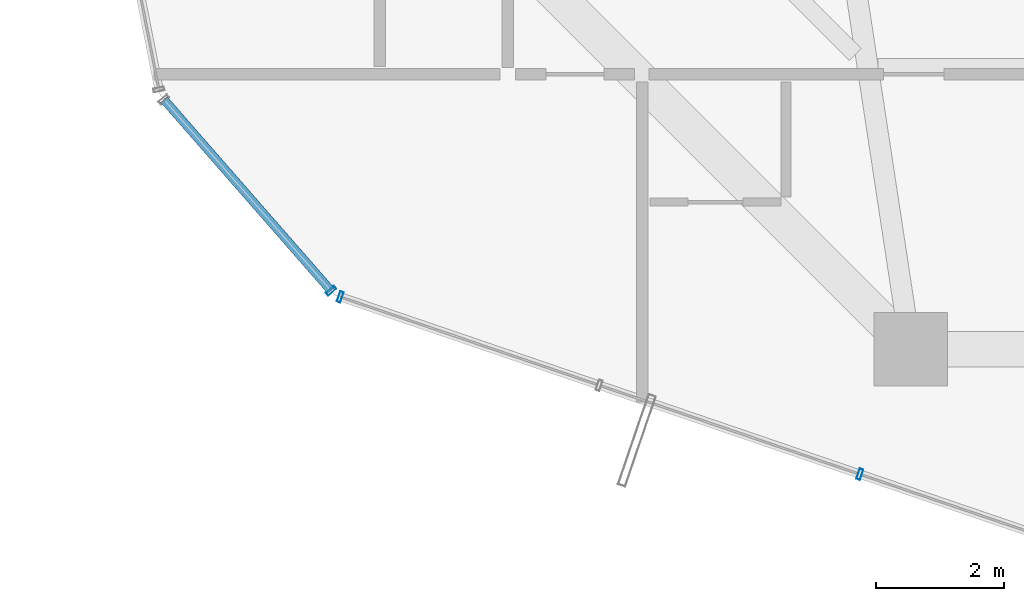
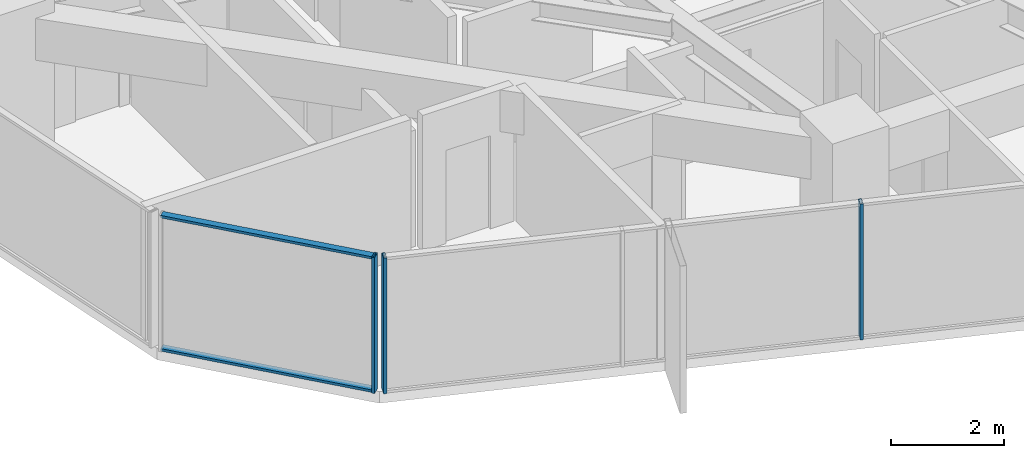
# One storey, part 2 of 36: 5 members, 2 elements without a shape of their own.
"""IFC4 building model written with IfcOpenShell, lengths in metres."""

from ifc_helpers import new_model, si_unit, direction, frame, origin, origin_2d, place, context, subcontext, project, spatial, hollow_rectangle, extrude, source, transform, mapped, material, layer, layer_set, material_profile, profile_set, type_object, element, aggregate, save


model = new_model("IFC4")

# Units and contexts
model_context = context("Model", 3, precision=1e-05, world=origin(), true_north=direction((0.0, 1.0)))
body_context = subcontext(model_context, "Body", "Model", "MODEL_VIEW")
ifc_project = project(units=[si_unit("LENGTHUNIT", "METRE"), si_unit("AREAUNIT", "SQUARE_METRE"), si_unit("VOLUMEUNIT", "CUBIC_METRE"), si_unit("PLANEANGLEUNIT", "RADIAN"), si_unit("MASSUNIT", "GRAM", prefix="KILO")], contexts=[model_context])

# Site, building, storey
site_placement = place(None, origin())
site = spatial("IfcSite", under=ifc_project, at=site_placement, CompositionType="ELEMENT")
building_placement = place(site_placement, origin())
building = spatial("IfcBuilding", under=site, at=building_placement, Name="Veraguas Prism Commons", CompositionType="ELEMENT")
storey_placement = place(building_placement, frame((0.0, 0.0, 166.300048828125)))
storey = spatial("IfcBuildingStorey", under=building, at=storey_placement, Name="L47", CompositionType="ELEMENT", Elevation=166.300048828125)

# Curtain wall, members
ifc_material = material(Name="Anodised aluminium EN AW-6063 T6", Category="aluminium")
ifc_layer = layer(ifc_material, 0.169921875, Name="Unitised Flush Curtain Wall Zone 2", Category="aluminium")
ifc_layer_set = layer_set([ifc_layer], Name="Anodised aluminium EN AW-6063 T6")
curtain_wall_type = type_object("IfcCurtainWallType", Name="Unitised Flush Curtain Wall Zone 2", PredefinedType="NOTDEFINED", material=ifc_layer_set)
curtain_wall_1_placement = place(storey_placement, origin())
curtain_wall_1 = element("IfcCurtainWall", 1, at=curtain_wall_1_placement, inside=storey, type_object=curtain_wall_type, Name="Tower Facade Curtain Wall L47-F4", PredefinedType="NOTDEFINED")
ifc_material_profile_1 = material_profile(ifc_material, hollow_rectangle(XDim=0.06005859375, YDim=0.169921875, WallThickness=0.00390625, at=origin_2d()), Name="AL60X170X4")
ifc_profile_set_1 = profile_set([ifc_material_profile_1], Name="Anodised aluminium EN AW-6063 T6")
member_type_1 = type_object("IfcMemberType", Name="Curtain Wall Mullion Lower AL 60x170x4", PredefinedType="MULLION", material=ifc_profile_set_1)
shared_shape_1 = source(origin(), body_context, "Body", "SweptSolid", [
    extrude(hollow_rectangle(XDim=0.06005859375, YDim=0.169921875, WallThickness=0.00390625, at=origin_2d()), origin(), (0.0, 0.0, 1.0), 2.929931640625),
])
member_1_placement = place(storey_placement, frame((9.678466796875, 8.618408203125, 0.0), z_axis=(0.0, 0.0, 1.0), x_axis=(0.946424609155, -0.322924850679, 0.0)))
member_1 = element("IfcMember", 2, at=member_1_placement, type_object=member_type_1, Name="CW-Z2 Mullion 1", PredefinedType="MULLION", context=body_context, shape_type="MappedRepresentation", body=[
    mapped(shared_shape_1, transform((0.0, 0.0, 0.0), scale=1.0)),
])
member_2_placement = place(storey_placement, frame((17.805419921875, 5.84521484375, 0.0), z_axis=(0.0, 0.0, 1.0), x_axis=(0.946424609155, -0.322924850679, 0.0)))
member_2 = element("IfcMember", 3, at=member_2_placement, type_object=member_type_1, Name="CW-Z2 Mullion 3", PredefinedType="MULLION", context=body_context, shape_type="MappedRepresentation", body=[
    mapped(shared_shape_1, transform((0.0, 0.0, 0.0), scale=1.0)),
])
aggregate(curtain_wall_1, [member_1, member_2])

curtain_wall_2_placement = place(storey_placement, origin())
curtain_wall_2 = element("IfcCurtainWall", 4, at=curtain_wall_2_placement, inside=storey, type_object=curtain_wall_type, Name="Chamfer Curtain Wall L47-C4", PredefinedType="NOTDEFINED")
member_3_placement = place(storey_placement, frame((9.533935546875, 8.715087890625, 0.0), z_axis=(0.0, 0.0, 1.0), x_axis=(0.658186352891, -0.752855049042, 0.0)))
member_3 = element("IfcMember", 5, at=member_3_placement, type_object=member_type_1, Name="CW-Z2 Mullion 2", PredefinedType="MULLION", context=body_context, shape_type="MappedRepresentation", body=[
    mapped(shared_shape_1, transform((0.0, 0.0, 0.0), scale=1.0)),
])
ifc_material_profile_2 = material_profile(ifc_material, hollow_rectangle(XDim=0.054931640625, YDim=0.135009765625, WallThickness=0.0029296875, at=origin_2d()), Name="AL55X135X3")
ifc_profile_set_2 = profile_set([ifc_material_profile_2], Name="Anodised aluminium EN AW-6063 T6")
member_type_2 = type_object("IfcMemberType", Name="Curtain Wall Transom Standard AL 55x135x3", PredefinedType="USERDEFINED", material=ifc_profile_set_2)
shared_shape_2 = source(origin(), body_context, "Body", "SweptSolid", [
    extrude(hollow_rectangle(XDim=0.054931640625, YDim=0.135009765625, WallThickness=0.0029296875, at=origin_2d()), origin(), (0.0, 0.0, 1.0), 3.97314453125),
])
member_4_placement = place(storey_placement, frame((6.9189453125, 11.706298828125, 0.02734375), z_axis=(0.658173919248, -0.75286591902, 0.0), x_axis=(0.0, 0.0, 1.0)))
member_4 = element("IfcMember", 6, at=member_4_placement, type_object=member_type_2, Name="CW-Z2 Transom 1", ObjectType="TRANSOM", PredefinedType="USERDEFINED", context=body_context, shape_type="MappedRepresentation", body=[
    mapped(shared_shape_2, transform((0.0, 0.0, 0.0), scale=1.0)),
])
member_5_placement = place(storey_placement, frame((6.9189453125, 11.706298828125, 2.90234375), z_axis=(0.658173919248, -0.75286591902, 0.0), x_axis=(0.0, 0.0, 1.0)))
member_5 = element("IfcMember", 7, at=member_5_placement, type_object=member_type_2, Name="CW-Z2 Transom 2", ObjectType="TRANSOM", PredefinedType="USERDEFINED", context=body_context, shape_type="MappedRepresentation", body=[
    mapped(shared_shape_2, transform((0.0, 0.0, 0.0), scale=1.0)),
])
aggregate(curtain_wall_2, [member_3, member_4, member_5])

save(model, "model.ifc")
